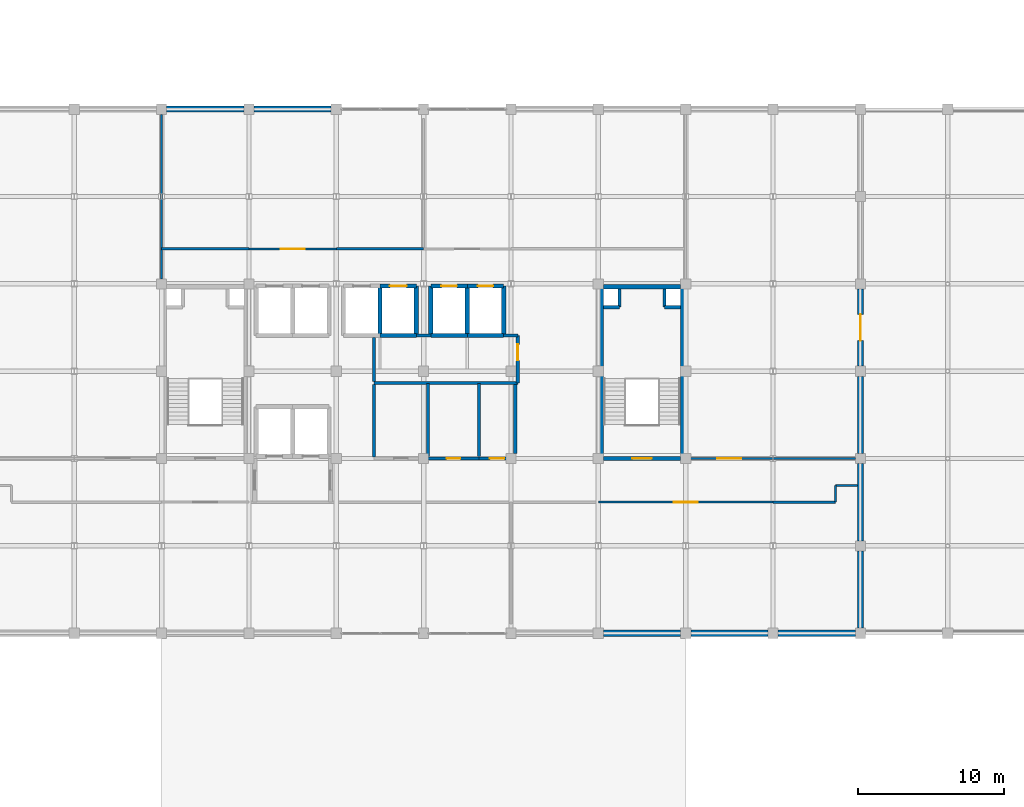
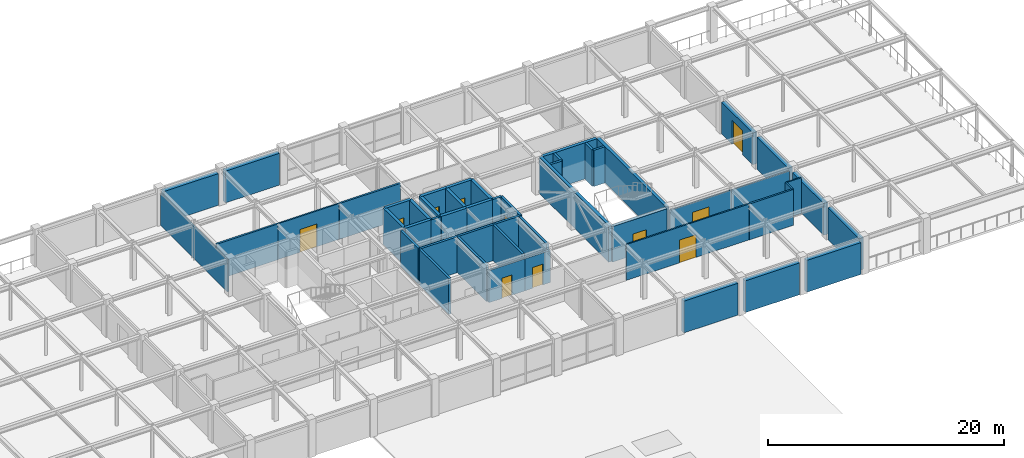
# One storey, part 21 of 25: 49 walls, 11 doors, 11 openings.
"""IFC4 building model written with IfcOpenShell, lengths in metres."""

from ifc_helpers import new_model, si_unit, direction, frame, frame_2d, origin, place, context, subcontext, project, spatial, rectangle, extrude, material, layer, layer_set, type_object, element, fill, save


model = new_model("IFC4")

# Units and contexts
model_context = context("Model", 3, precision=1e-05, world=origin(), true_north=direction((0.0, 1.0)))
body_context = subcontext(model_context, "Body", "Model", "MODEL_VIEW")
ifc_project = project(units=[si_unit("LENGTHUNIT", "METRE"), si_unit("AREAUNIT", "SQUARE_METRE"), si_unit("VOLUMEUNIT", "CUBIC_METRE"), si_unit("PLANEANGLEUNIT", "RADIAN"), si_unit("MASSUNIT", "GRAM", prefix="KILO")], contexts=[model_context])

# Site, building, storey
site_placement = place(None, origin())
site = spatial("IfcSite", under=ifc_project, at=site_placement, CompositionType="ELEMENT")
building_placement = place(site_placement, origin())
building = spatial("IfcBuilding", under=site, at=building_placement, Name="Zlatovratsky Civic Hall", CompositionType="ELEMENT")
storey_placement = place(building_placement, frame((0.0, 0.0, 21.0)))
storey = spatial("IfcBuildingStorey", under=building, at=storey_placement, Name="L05", CompositionType="ELEMENT", Elevation=21.0)

# Walls
ifc_material_1 = material(Name="Acoustic ceramic blockwork", Category="masonry")
ifc_layer_1 = layer(ifc_material_1, 0.179931640625)
ifc_layer_set_1 = layer_set([ifc_layer_1], Name="Acoustic ceramic blockwork")
wall_type_1 = type_object("IfcWallType", Name="Wall_AcousticChamberPartition_180", PredefinedType="PARTITIONING", material=ifc_layer_set_1)
wall_1_placement = place(storey_placement, frame((108.0, 81.0, 0.0), z_axis=(0.0, 0.0, 1.0), x_axis=(1.0, 0.0, 0.0)))
element("IfcWall", 1, at=wall_1_placement, inside=storey, type_object=wall_type_1, Name="WL-6281", PredefinedType="PARTITIONING", context=body_context, shape_type="SweptSolid", body=[
    extrude(rectangle(XDim=4.300048828125, YDim=0.179931640625, at=frame_2d((2.14990234375, 0.0))), origin(), (0.0, 0.0, 1.0), 3.699951171875),
])
for number, where, z_axis, x_axis, name in (
    (2, (66.0, 98.39990234375, 0.0), (0.0, 0.0, 1.0), (1.0, 0.0, 0.0), "WL-6286"),
    (3, (78.0, 98.39990234375, 0.0), (0.0, 0.0, 1.0), (1.0, 0.0, 0.0), "WL-6287"),
):
    element("IfcWall", number, at=place(storey_placement, frame(where, z_axis=z_axis, x_axis=x_axis)), inside=storey, type_object=wall_type_1, Name=name, PredefinedType="PARTITIONING", context=body_context, shape_type="SweptSolid", body=[
        extrude(rectangle(XDim=6.0, YDim=0.179931640625, at=frame_2d((3.0, 0.0))), origin(), (0.0, 0.0, 1.0), 3.699951171875),
    ])

# Wall, opening, door
ifc_material_2 = material(Name="Fire-rated gypsum board framing", Category="gypsum")
ifc_layer_2 = layer(ifc_material_2, 0.139892578125)
ifc_layer_set_2 = layer_set([ifc_layer_2], Name="Fire-rated gypsum board framing")
wall_type_2 = type_object("IfcWallType", Name="Wall_OfficePartition_140", PredefinedType="PARTITIONING", material=ifc_layer_set_2)
wall_2_placement = place(storey_placement, frame((96.0, 81.0, 0.0), z_axis=(0.0, 0.0, 1.0), x_axis=(1.0, 0.0, 0.0)))
wall_2 = element("IfcWall", 4, at=wall_2_placement, inside=storey, type_object=wall_type_2, Name="WL-6267", PredefinedType="PARTITIONING", context=body_context, shape_type="SweptSolid", body=[
    extrude(rectangle(XDim=12.0, YDim=0.139892578125, at=frame_2d((6.0, 0.0))), origin(), (0.0, 0.0, 1.0), 3.699951171875),
])
opening_1_placement = place(wall_2_placement, frame((5.175048828125, 0.0, 0.0)))
opening_1 = element("IfcOpeningElement", 5, at=opening_1_placement, cuts=wall_2, Name="Opening D-25", PredefinedType="OPENING", context=body_context, shape_type="SweptSolid", body=[
    extrude(rectangle(XDim=1.64990234375, YDim=2.35009765625, at=frame_2d((0.824951171875, 1.175048828125))), frame((0.0, 0.0849609375, 0.0), z_axis=(0.0, -1.0, 0.0), x_axis=(1.0, 0.0, 0.0)), (0.0, 0.0, 1.0), 0.169677734375),
])
ifc_material_3 = material(Name="Solid oak joinery in steel frame", Category="steel")
door_type_1 = type_object("IfcDoorType", Name="Door_OpenStudioDouble_1650x2350", OperationType="DOUBLE_DOOR_SINGLE_SWING", PredefinedType="DOOR", material=ifc_material_3)
door_1_placement = place(opening_1_placement, origin())
door_1 = element("IfcDoor", 6, at=door_1_placement, inside=storey, type_object=door_type_1, Name="DR-5348", OperationType="DOUBLE_DOOR_SINGLE_SWING", OverallHeight=2.35009765625, OverallWidth=1.64990234375, PredefinedType="DOOR", context=body_context, shape_type="SweptSolid", body=[
    extrude(rectangle(XDim=1.64990234375, YDim=2.35009765625, at=frame_2d((0.824951171875, 1.175048828125))), frame((0.0, 0.02490234375, 0.0), z_axis=(0.0, -1.0, 0.0), x_axis=(1.0, 0.0, 0.0)), (0.0, 0.0, 1.0), 0.050048828125),
])
fill(opening_1, door_1)

wall_3_placement = place(storey_placement, frame((102.0, 84.0, 0.0), z_axis=(0.0, 0.0, 1.0), x_axis=(1.0, 0.0, 0.0)))
wall_3 = element("IfcWall", 7, at=wall_3_placement, inside=storey, type_object=wall_type_2, Name="WL-6269", PredefinedType="PARTITIONING", context=body_context, shape_type="SweptSolid", body=[
    extrude(rectangle(XDim=6.0, YDim=0.139892578125, at=frame_2d((3.0, 0.0))), origin(), (0.0, 0.0, 1.0), 3.31201171875),
])
opening_2_placement = place(wall_3_placement, frame((2.175048828125, 0.0, 0.0)))
opening_2 = element("IfcOpeningElement", 8, at=opening_2_placement, cuts=wall_3, Name="Opening D-25", PredefinedType="OPENING", context=body_context, shape_type="SweptSolid", body=[
    extrude(rectangle(XDim=1.64990234375, YDim=2.35009765625, at=frame_2d((0.824951171875, 1.175048828125))), frame((0.0, 0.0849609375, 0.0), z_axis=(0.0, -1.0, 0.0), x_axis=(1.0, 0.0, 0.0)), (0.0, 0.0, 1.0), 0.169677734375),
])
door_2_placement = place(opening_2_placement, origin())
door_2 = element("IfcDoor", 9, at=door_2_placement, inside=storey, type_object=door_type_1, Name="DR-5350", OperationType="DOUBLE_DOOR_SINGLE_SWING", OverallHeight=2.35009765625, OverallWidth=1.64990234375, PredefinedType="DOOR", context=body_context, shape_type="SweptSolid", body=[
    extrude(rectangle(XDim=1.64990234375, YDim=2.35009765625, at=frame_2d((0.824951171875, 1.175048828125))), frame((0.0, 0.02490234375, 0.0), z_axis=(0.0, -1.0, 0.0), x_axis=(1.0, 0.0, 0.0)), (0.0, 0.0, 1.0), 0.050048828125),
])
fill(opening_2, door_2)

wall_4_placement = place(storey_placement, frame((72.0, 98.39990234375, 0.0), z_axis=(0.0, 0.0, 1.0), x_axis=(1.0, 0.0, 0.0)))
wall_4 = element("IfcWall", 10, at=wall_4_placement, inside=storey, type_object=wall_type_2, Name="WL-6270", PredefinedType="PARTITIONING", context=body_context, shape_type="SweptSolid", body=[
    extrude(rectangle(XDim=6.0, YDim=0.139892578125, at=frame_2d((3.0, 0.0))), origin(), (0.0, 0.0, 1.0), 3.699951171875),
])
opening_3_placement = place(wall_4_placement, frame((2.175048828125, 0.0, 0.0)))
opening_3 = element("IfcOpeningElement", 11, at=opening_3_placement, cuts=wall_4, Name="Opening D-25", PredefinedType="OPENING", context=body_context, shape_type="SweptSolid", body=[
    extrude(rectangle(XDim=1.64990234375, YDim=2.35009765625, at=frame_2d((0.824951171875, 1.175048828125))), frame((0.0, 0.0849609375, 0.0), z_axis=(0.0, -1.0, 0.0), x_axis=(1.0, 0.0, 0.0)), (0.0, 0.0, 1.0), 0.169677734375),
])
door_3_placement = place(opening_3_placement, origin())
door_3 = element("IfcDoor", 12, at=door_3_placement, inside=storey, type_object=door_type_1, Name="DR-5351", OperationType="DOUBLE_DOOR_SINGLE_SWING", OverallHeight=2.35009765625, OverallWidth=1.64990234375, PredefinedType="DOOR", context=body_context, shape_type="SweptSolid", body=[
    extrude(rectangle(XDim=1.64990234375, YDim=2.35009765625, at=frame_2d((0.824951171875, 1.175048828125))), frame((0.0, 0.02490234375, 0.0), z_axis=(0.0, -1.0, 0.0), x_axis=(1.0, 0.0, 0.0)), (0.0, 0.0, 1.0), 0.050048828125),
])
fill(opening_3, door_3)

# Walls
wall_5_placement = place(storey_placement, frame((112.300048828125, 81.0, 0.0), z_axis=(0.0, 0.0, 1.0), x_axis=(0.0, 1.0, 0.0)))
element("IfcWall", 13, at=wall_5_placement, inside=storey, type_object=wall_type_2, Name="WL-6284", PredefinedType="PARTITIONING", context=body_context, shape_type="SweptSolid", body=[
    extrude(rectangle(XDim=1.14990234375, YDim=0.139892578125, at=frame_2d((0.574951171875, 0.0))), origin(), (0.0, 0.0, 1.0), 3.699951171875),
])
wall_6_placement = place(storey_placement, frame((112.300048828125, 82.14990234375, 0.0), z_axis=(0.0, 0.0, 1.0), x_axis=(1.0, 0.0, 0.0)))
element("IfcWall", 14, at=wall_6_placement, inside=storey, type_object=wall_type_2, Name="WL-6285", PredefinedType="PARTITIONING", context=body_context, shape_type="SweptSolid", body=[
    extrude(rectangle(XDim=1.489990234375, YDim=0.139892578125, at=frame_2d((0.7451171875, 0.0))), origin(), (0.0, 0.0, 1.0), 3.699951171875),
])
wall_7_placement = place(storey_placement, frame((66.0, 96.35009765625, 0.0), z_axis=(0.0, 0.0, 1.0), x_axis=(0.0, 1.0, 0.0)))
element("IfcWall", 15, at=wall_7_placement, inside=storey, type_object=wall_type_2, Name="WL-6289", PredefinedType="PARTITIONING", context=body_context, shape_type="SweptSolid", body=[
    extrude(rectangle(XDim=11.2998046875, YDim=0.139892578125, at=frame_2d((5.64990234375, 0.0))), origin(), (0.0, 0.0, 1.0), 3.31201171875),
])
wall_8_placement = place(storey_placement, frame((108.0, 84.0, 0.0), z_axis=(0.0, 0.0, 1.0), x_axis=(1.0, 0.0, 0.0)))
element("IfcWall", 16, at=wall_8_placement, inside=storey, type_object=wall_type_2, Name="WL-6292", PredefinedType="PARTITIONING", context=body_context, shape_type="SweptSolid", body=[
    extrude(rectangle(XDim=5.64990234375, YDim=0.139892578125, at=frame_2d((2.824951171875, 0.0))), origin(), (0.0, 0.0, 1.0), 3.31201171875),
])
ifc_layer_3 = layer(ifc_material_1, 0.219970703125)
ifc_layer_set_3 = layer_set([ifc_layer_3], Name="Acoustic ceramic blockwork")
wall_type_3 = type_object("IfcWallType", Name="Wall_SanitaryWetCore_220", PredefinedType="PARTITIONING", material=ifc_layer_set_3)
wall_9_placement = place(storey_placement, frame((97.449951171875, 94.39990234375, 0.0), z_axis=(0.0, 0.0, 1.0), x_axis=(0.0, 1.0, 0.0)))
element("IfcWall", 17, at=wall_9_placement, inside=storey, type_object=wall_type_3, Name="WL-5203", PredefinedType="PARTITIONING", context=body_context, shape_type="SweptSolid", body=[
    extrude(rectangle(XDim=1.25, YDim=0.219970703125, at=frame_2d((0.625, 0.0))), origin(), (0.0, 0.0, 1.0), 3.739990234375),
])
wall_10_placement = place(storey_placement, frame((96.35009765625, 94.39990234375, 0.0), z_axis=(0.0, 0.0, 1.0), x_axis=(1.0, 0.0, 0.0)))
element("IfcWall", 18, at=wall_10_placement, inside=storey, type_object=wall_type_3, Name="WL-5204", PredefinedType="PARTITIONING", context=body_context, shape_type="SweptSolid", body=[
    extrude(rectangle(XDim=1.099853515625, YDim=0.219970703125, at=frame_2d((0.5498046875, 0.0))), origin(), (0.0, 0.0, 1.0), 3.739990234375),
])
wall_11_placement = place(storey_placement, frame((100.550048828125, 94.39990234375, 0.0), z_axis=(0.0, 0.0, 1.0), x_axis=(0.0, 1.0, 0.0)))
element("IfcWall", 19, at=wall_11_placement, inside=storey, type_object=wall_type_3, Name="WL-5205", PredefinedType="PARTITIONING", context=body_context, shape_type="SweptSolid", body=[
    extrude(rectangle(XDim=1.25, YDim=0.219970703125, at=frame_2d((0.625, 0.0))), origin(), (0.0, 0.0, 1.0), 3.739990234375),
])
wall_12_placement = place(storey_placement, frame((100.550048828125, 94.39990234375, 0.0), z_axis=(0.0, 0.0, 1.0), x_axis=(1.0, 0.0, 0.0)))
element("IfcWall", 20, at=wall_12_placement, inside=storey, type_object=wall_type_3, Name="WL-5206", PredefinedType="PARTITIONING", context=body_context, shape_type="SweptSolid", body=[
    extrude(rectangle(XDim=1.099853515625, YDim=0.219970703125, at=frame_2d((0.5498046875, 0.0))), origin(), (0.0, 0.0, 1.0), 3.739990234375),
])

# Wall, opening, door
wall_13_placement = place(storey_placement, frame((84.300048828125, 84.0, 0.0), z_axis=(0.0, 0.0, 1.0), x_axis=(1.0, 0.0, 0.0)))
wall_13 = element("IfcWall", 21, at=wall_13_placement, inside=storey, type_object=wall_type_3, Name="WL-6260", PredefinedType="PARTITIONING", context=body_context, shape_type="SweptSolid", body=[
    extrude(rectangle(XDim=3.5, YDim=0.219970703125, at=frame_2d((1.75, 0.0))), origin(), (0.0, 0.0, 1.0), 3.31201171875),
])
opening_4_placement = place(wall_13_placement, frame((1.27490234375, 0.0, 0.0)))
opening_4 = element("IfcOpeningElement", 22, at=opening_4_placement, cuts=wall_13, Name="Opening D-22", PredefinedType="OPENING", context=body_context, shape_type="SweptSolid", body=[
    extrude(rectangle(XDim=0.949951171875, YDim=2.10009765625, at=frame_2d((0.47509765625, 1.050048828125))), frame((0.0, 0.125, 0.0), z_axis=(0.0, -1.0, 0.0), x_axis=(1.0, 0.0, 0.0)), (0.0, 0.0, 1.0), 0.249755859375),
])
door_type_2 = type_object("IfcDoorType", Name="Door_WomensWC_950x2100", OperationType="NOTDEFINED", PredefinedType="DOOR", material=ifc_material_3)
door_4_placement = place(opening_4_placement, origin())
door_4 = element("IfcDoor", 23, at=door_4_placement, inside=storey, type_object=door_type_2, Name="DR-5344", OperationType="SINGLE_SWING_RIGHT", OverallHeight=2.10009765625, OverallWidth=0.949951171875, PredefinedType="DOOR", context=body_context, shape_type="SweptSolid", body=[
    extrude(rectangle(XDim=0.949951171875, YDim=2.10009765625, at=frame_2d((0.47509765625, 1.050048828125))), frame((0.0, 0.02490234375, 0.0), z_axis=(0.0, -1.0, 0.0), x_axis=(1.0, 0.0, 0.0)), (0.0, 0.0, 1.0), 0.050048828125),
])
fill(opening_4, door_4)

wall_14_placement = place(storey_placement, frame((87.800048828125, 84.0, 0.0), z_axis=(0.0, 0.0, 1.0), x_axis=(1.0, 0.0, 0.0)))
wall_14 = element("IfcWall", 24, at=wall_14_placement, inside=storey, type_object=wall_type_3, Name="WL-6261", PredefinedType="PARTITIONING", context=body_context, shape_type="SweptSolid", body=[
    extrude(rectangle(XDim=2.5, YDim=0.219970703125, at=frame_2d((1.25, 0.0))), origin(), (0.0, 0.0, 1.0), 3.31201171875),
])
opening_5_placement = place(wall_14_placement, frame((0.75, 0.0, 0.0)))
opening_5 = element("IfcOpeningElement", 25, at=opening_5_placement, cuts=wall_14, Name="Opening D-20", PredefinedType="OPENING", context=body_context, shape_type="SweptSolid", body=[
    extrude(rectangle(XDim=1.0, YDim=2.14990234375, at=frame_2d((0.5, 1.074951171875))), frame((0.0, 0.125, 0.0), z_axis=(0.0, -1.0, 0.0), x_axis=(1.0, 0.0, 0.0)), (0.0, 0.0, 1.0), 0.249755859375),
])
door_type_3 = type_object("IfcDoorType", Name="Door_AccessibleWC_1000x2150", OperationType="NOTDEFINED", PredefinedType="DOOR", material=ifc_material_3)
door_5_placement = place(opening_5_placement, origin())
door_5 = element("IfcDoor", 26, at=door_5_placement, inside=storey, type_object=door_type_3, Name="DR-5345", OperationType="SINGLE_SWING_LEFT", OverallHeight=2.14990234375, OverallWidth=1.0, PredefinedType="DOOR", context=body_context, shape_type="SweptSolid", body=[
    extrude(rectangle(XDim=1.0, YDim=2.14990234375, at=frame_2d((0.5, 1.074951171875))), frame((0.0, 0.02490234375, 0.0), z_axis=(0.0, -1.0, 0.0), x_axis=(1.0, 0.0, 0.0)), (0.0, 0.0, 1.0), 0.050048828125),
])
fill(opening_5, door_5)

# Walls
for number, where, z_axis, x_axis, name in (
    (27, (84.300048828125, 84.14990234375, 0.0), (0.0, 0.0, 1.0), (0.0, 1.0, 0.0), "WL-6262"),
    (28, (87.800048828125, 84.14990234375, 0.0), (0.0, 0.0, 1.0), (0.0, 1.0, 0.0), "WL-6263"),
):
    element("IfcWall", number, at=place(storey_placement, frame(where, z_axis=z_axis, x_axis=x_axis)), inside=storey, type_object=wall_type_3, Name=name, PredefinedType="PARTITIONING", context=body_context, shape_type="SweptSolid", body=[
        extrude(rectangle(XDim=5.0, YDim=0.219970703125, at=frame_2d((2.5, 0.0))), origin(), (0.0, 0.0, 1.0), 3.699951171875),
    ])
wall_15_placement = place(storey_placement, frame((80.60009765625, 89.199951171875, 0.0), z_axis=(0.0, 0.0, 1.0), x_axis=(1.0, 0.0, 0.0)))
element("IfcWall", 29, at=wall_15_placement, inside=storey, type_object=wall_type_3, Name="WL-6264", PredefinedType="PARTITIONING", context=body_context, shape_type="SweptSolid", body=[
    extrude(rectangle(XDim=9.869873046875, YDim=0.219970703125, at=frame_2d((4.93505859375, 0.0))), origin(), (0.0, 0.0, 1.0), 3.699951171875),
])

# Wall, opening, door
wall_16_placement = place(storey_placement, frame((90.469970703125, 89.199951171875, 0.0), z_axis=(0.0, 0.0, 1.0), x_axis=(0.0, 1.0, 0.0)))
wall_16 = element("IfcWall", 30, at=wall_16_placement, inside=storey, type_object=wall_type_3, Name="WL-6265", PredefinedType="PARTITIONING", context=body_context, shape_type="SweptSolid", body=[
    extrude(rectangle(XDim=3.25, YDim=0.219970703125, at=frame_2d((1.625, 0.0))), origin(), (0.0, 0.0, 1.0), 3.699951171875),
])
opening_6_placement = place(wall_16_placement, frame((1.550048828125, 0.0, 0.0)))
opening_6 = element("IfcOpeningElement", 31, at=opening_6_placement, cuts=wall_16, Name="Opening D-30", PredefinedType="OPENING", context=body_context, shape_type="SweptSolid", body=[
    extrude(rectangle(XDim=1.10009765625, YDim=2.14990234375, at=frame_2d((0.550048828125, 1.074951171875))), frame((0.0, 0.125, 0.0), z_axis=(0.0, -1.0, 0.0), x_axis=(1.0, 0.0, 0.0)), (0.0, 0.0, 1.0), 0.249755859375),
])
ifc_material_4 = material(Name="Insulated painted fire-rated steel leaf", Category="steel")
door_type_4 = type_object("IfcDoorType", Name="Door_ElectricalRoom_1100x2150", OperationType="NOTDEFINED", PredefinedType="DOOR", material=ifc_material_4)
door_6_placement = place(opening_6_placement, origin())
door_6 = element("IfcDoor", 32, at=door_6_placement, inside=storey, type_object=door_type_4, Name="DR-5346", OperationType="SINGLE_SWING_RIGHT", OverallHeight=2.14990234375, OverallWidth=1.10009765625, PredefinedType="DOOR", context=body_context, shape_type="SweptSolid", body=[
    extrude(rectangle(XDim=1.10009765625, YDim=2.14990234375, at=frame_2d((0.550048828125, 1.074951171875))), frame((0.0, 0.02490234375, 0.0), z_axis=(0.0, -1.0, 0.0), x_axis=(1.0, 0.0, 0.0)), (0.0, 0.0, 1.0), 0.050048828125),
])
fill(opening_6, door_6)

# Walls
wall_17_placement = place(storey_placement, frame((80.60009765625, 84.110107421875, 0.0), z_axis=(0.0, 0.0, 1.0), x_axis=(0.0, 1.0, 0.0)))
element("IfcWall", 33, at=wall_17_placement, inside=storey, type_object=wall_type_3, Name="WL-6274", PredefinedType="PARTITIONING", context=body_context, shape_type="SweptSolid", body=[
    extrude(rectangle(XDim=4.97998046875, YDim=0.219970703125, at=frame_2d((2.489990234375, 0.0))), origin(), (0.0, 0.0, 1.0), 3.699951171875),
])
wall_18_placement = place(storey_placement, frame((90.300048828125, 84.360107421875, 0.0), z_axis=(0.0, 0.0, 1.0), x_axis=(0.0, 1.0, 0.0)))
element("IfcWall", 34, at=wall_18_placement, inside=storey, type_object=wall_type_3, Name="WL-6275", PredefinedType="PARTITIONING", context=body_context, shape_type="SweptSolid", body=[
    extrude(rectangle(XDim=4.72998046875, YDim=0.219970703125, at=frame_2d((2.364990234375, 0.0))), origin(), (0.0, 0.0, 1.0), 3.699951171875),
])
wall_19_placement = place(storey_placement, frame((80.60009765625, 89.31005859375, 0.0), z_axis=(0.0, 0.0, 1.0), x_axis=(0.0, 1.0, 0.0)))
element("IfcWall", 35, at=wall_19_placement, inside=storey, type_object=wall_type_3, Name="WL-6276", PredefinedType="PARTITIONING", context=body_context, shape_type="SweptSolid", body=[
    extrude(rectangle(XDim=2.989990234375, YDim=0.219970703125, at=frame_2d((1.4951171875, 0.0))), origin(), (0.0, 0.0, 1.0), 3.699951171875),
])
wall_20_placement = place(storey_placement, frame((83.5, 92.449951171875, 0.0), z_axis=(0.0, 0.0, 1.0), x_axis=(1.0, 0.0, 0.0)))
element("IfcWall", 36, at=wall_20_placement, inside=storey, type_object=wall_type_3, Name="WL-6277", PredefinedType="PARTITIONING", context=body_context, shape_type="SweptSolid", body=[
    extrude(rectangle(XDim=1.0, YDim=0.219970703125, at=frame_2d((0.5, 0.0))), origin(), (0.0, 0.0, 1.0), 3.699951171875),
])
wall_21_placement = place(storey_placement, frame((89.5, 92.449951171875, 0.0), z_axis=(0.0, 0.0, 1.0), x_axis=(1.0, 0.0, 0.0)))
element("IfcWall", 37, at=wall_21_placement, inside=storey, type_object=wall_type_3, Name="WL-6278", PredefinedType="PARTITIONING", context=body_context, shape_type="SweptSolid", body=[
    extrude(rectangle(XDim=0.969970703125, YDim=0.219970703125, at=frame_2d((0.48486328125, 0.0))), origin(), (0.0, 0.0, 1.0), 3.699951171875),
])

# Wall, opening, door
ifc_material_5 = material(Name="Concrete C35/45 (B40)", Category="concrete")
ifc_layer_4 = layer(ifc_material_5, 0.300048828125)
ifc_layer_set_4 = layer_set([ifc_layer_4], Name="Concrete C35/45 (B40)")
wall_type_4 = type_object("IfcWallType", Name="Wall_StairAndLiftShaft_300", PredefinedType="SHEAR", material=ifc_layer_set_4)
wall_22_placement = place(storey_placement, frame((96.35009765625, 84.0, 0.0), z_axis=(0.0, 0.0, 1.0), x_axis=(1.0, 0.0, 0.0)))
wall_22 = element("IfcWall", 38, at=wall_22_placement, inside=storey, type_object=wall_type_4, Name="WL-5199", PredefinedType="SHEAR", context=body_context, shape_type="SweptSolid", body=[
    extrude(rectangle(XDim=5.2998046875, YDim=0.300048828125, at=frame_2d((2.64990234375, 0.0))), origin(), (0.0, 0.0, 1.0), 3.659912109375),
])
opening_7_placement = place(wall_22_placement, frame((1.97509765625, 0.0, 0.0)))
opening_7 = element("IfcOpeningElement", 39, at=opening_7_placement, cuts=wall_22, Name="Opening D-17", PredefinedType="OPENING", context=body_context, shape_type="SweptSolid", body=[
    extrude(rectangle(XDim=1.35009765625, YDim=2.199951171875, at=frame_2d((0.675048828125, 1.10009765625))), frame((0.0, 0.1650390625, 0.0), z_axis=(0.0, -1.0, 0.0), x_axis=(1.0, 0.0, 0.0)), (0.0, 0.0, 1.0), 0.329833984375),
])
door_type_5 = type_object("IfcDoorType", Name="Door_StairwellFireTower_1350x2200", OperationType="NOTDEFINED", PredefinedType="DOOR", material=ifc_material_4)
door_7_placement = place(opening_7_placement, origin())
door_7 = element("IfcDoor", 40, at=door_7_placement, inside=storey, type_object=door_type_5, Name="DR-5025", OperationType="SINGLE_SWING_LEFT", OverallHeight=2.199951171875, OverallWidth=1.35009765625, PredefinedType="DOOR", context=body_context, shape_type="SweptSolid", body=[
    extrude(rectangle(XDim=1.35009765625, YDim=2.199951171875, at=frame_2d((0.675048828125, 1.10009765625))), frame((0.0, 0.02490234375, 0.0), z_axis=(0.0, -1.0, 0.0), x_axis=(1.0, 0.0, 0.0)), (0.0, 0.0, 1.0), 0.050048828125),
])
fill(opening_7, door_7)

# Walls
wall_23_placement = place(storey_placement, frame((96.35009765625, 95.800048828125, 0.0), z_axis=(0.0, 0.0, 1.0), x_axis=(1.0, 0.0, 0.0)))
element("IfcWall", 41, at=wall_23_placement, inside=storey, type_object=wall_type_4, Name="WL-5200", PredefinedType="SHEAR", context=body_context, shape_type="SweptSolid", body=[
    extrude(rectangle(XDim=5.2998046875, YDim=0.300048828125, at=frame_2d((2.64990234375, 0.0))), origin(), (0.0, 0.0, 1.0), 3.739990234375),
])
for number, where, z_axis, x_axis, name in (
    (42, (96.199951171875, 84.0, 0.0), (0.0, 0.0, 1.0), (0.0, 1.0, 0.0), "WL-5201"),
    (43, (101.800048828125, 84.0, 0.0), (0.0, 0.0, 1.0), (0.0, 1.0, 0.0), "WL-5202"),
):
    element("IfcWall", number, at=place(storey_placement, frame(where, z_axis=z_axis, x_axis=x_axis)), inside=storey, type_object=wall_type_4, Name=name, PredefinedType="SHEAR", context=body_context, shape_type="SweptSolid", body=[
        extrude(rectangle(XDim=11.800048828125, YDim=0.300048828125, at=frame_2d((5.89990234375, 0.0))), origin(), (0.0, 0.0, 1.0), 3.739990234375),
    ])

# Wall, opening, door
wall_24_placement = place(storey_placement, frame((81.0, 95.85009765625, 0.0), z_axis=(0.0, 0.0, 1.0), x_axis=(1.0, 0.0, 0.0)))
wall_24 = element("IfcWall", 44, at=wall_24_placement, inside=storey, type_object=wall_type_4, Name="WL-5836", PredefinedType="SHEAR", context=body_context, shape_type="SweptSolid", body=[
    extrude(rectangle(XDim=2.5, YDim=0.300048828125, at=frame_2d((1.25, 0.0))), origin(), (0.0, 0.0, 1.0), 3.739990234375),
])
opening_8_placement = place(wall_24_placement, frame((0.675048828125, 0.0, 0.0)))
opening_8 = element("IfcOpeningElement", 45, at=opening_8_placement, cuts=wall_24, Name="Opening LD-02", PredefinedType="OPENING", context=body_context, shape_type="SweptSolid", body=[
    extrude(rectangle(XDim=1.14990234375, YDim=2.14990234375, at=frame_2d((0.574951171875, 1.074951171875))), frame((0.0, 0.1650390625, 0.0), z_axis=(0.0, -1.0, 0.0), x_axis=(1.0, 0.0, 0.0)), (0.0, 0.0, 1.0), 0.329833984375),
])
ifc_material_6 = material(Name="Brushed stainless steel AISI 304", Category="steel")
door_type_6 = type_object("IfcDoorType", Name="Door_LiftLandingHighRise_1150x2150", OperationType="DOUBLE_DOOR_SLIDING", PredefinedType="DOOR", material=ifc_material_6)
door_8_placement = place(opening_8_placement, origin())
door_8 = element("IfcDoor", 46, at=door_8_placement, inside=storey, type_object=door_type_6, Name="Lift landing door LD-5159", OperationType="DOUBLE_DOOR_SLIDING", OverallHeight=2.14990234375, OverallWidth=1.14990234375, PredefinedType="DOOR", context=body_context, shape_type="SweptSolid", body=[
    extrude(rectangle(XDim=1.14990234375, YDim=2.14990234375, at=frame_2d((0.574951171875, 1.074951171875))), frame((0.0, 0.02490234375, 0.0), z_axis=(0.0, -1.0, 0.0), x_axis=(1.0, 0.0, 0.0)), (0.0, 0.0, 1.0), 0.050048828125),
])
fill(opening_8, door_8)

# Walls
wall_25_placement = place(storey_placement, frame((81.0, 92.449951171875, 0.0), z_axis=(0.0, 0.0, 1.0), x_axis=(1.0, 0.0, 0.0)))
element("IfcWall", 47, at=wall_25_placement, inside=storey, type_object=wall_type_4, Name="WL-5837", PredefinedType="SHEAR", context=body_context, shape_type="SweptSolid", body=[
    extrude(rectangle(XDim=2.5, YDim=0.300048828125, at=frame_2d((1.25, 0.0))), origin(), (0.0, 0.0, 1.0), 3.739990234375),
])
for number, where, z_axis, x_axis, name in (
    (48, (81.0, 92.449951171875, 0.0), (0.0, 0.0, 1.0), (0.0, 1.0, 0.0), "WL-5838"),
    (49, (83.5, 92.449951171875, 0.0), (0.0, 0.0, 1.0), (0.0, 1.0, 0.0), "WL-5839"),
):
    element("IfcWall", number, at=place(storey_placement, frame(where, z_axis=z_axis, x_axis=x_axis)), inside=storey, type_object=wall_type_4, Name=name, PredefinedType="SHEAR", context=body_context, shape_type="SweptSolid", body=[
        extrude(rectangle(XDim=3.400146484375, YDim=0.300048828125, at=frame_2d((1.7001953125, 0.0))), origin(), (0.0, 0.0, 1.0), 3.739990234375),
    ])

# Wall, opening, door
wall_26_placement = place(storey_placement, frame((84.5, 95.85009765625, 0.0), z_axis=(0.0, 0.0, 1.0), x_axis=(1.0, 0.0, 0.0)))
wall_26 = element("IfcWall", 50, at=wall_26_placement, inside=storey, type_object=wall_type_4, Name="WL-5907", PredefinedType="SHEAR", context=body_context, shape_type="SweptSolid", body=[
    extrude(rectangle(XDim=2.5, YDim=0.300048828125, at=frame_2d((1.25, 0.0))), origin(), (0.0, 0.0, 1.0), 3.739990234375),
])
opening_9_placement = place(wall_26_placement, frame((0.72509765625, 0.0, 0.0)))
opening_9 = element("IfcOpeningElement", 51, at=opening_9_placement, cuts=wall_26, Name="Opening LD-03", PredefinedType="OPENING", context=body_context, shape_type="SweptSolid", body=[
    extrude(rectangle(XDim=1.050048828125, YDim=2.10009765625, at=frame_2d((0.52490234375, 1.050048828125))), frame((0.0, 0.1650390625, 0.0), z_axis=(0.0, -1.0, 0.0), x_axis=(1.0, 0.0, 0.0)), (0.0, 0.0, 1.0), 0.329833984375),
])
door_type_7 = type_object("IfcDoorType", Name="Door_LiftLandingMidRise_1050x2100", OperationType="DOUBLE_DOOR_SLIDING", PredefinedType="DOOR", material=ifc_material_6)
door_9_placement = place(opening_9_placement, origin())
door_9 = element("IfcDoor", 52, at=door_9_placement, inside=storey, type_object=door_type_7, Name="Lift landing door LD-5178", OperationType="DOUBLE_DOOR_SLIDING", OverallHeight=2.10009765625, OverallWidth=1.050048828125, PredefinedType="DOOR", context=body_context, shape_type="SweptSolid", body=[
    extrude(rectangle(XDim=1.050048828125, YDim=2.10009765625, at=frame_2d((0.52490234375, 1.050048828125))), frame((0.0, 0.02490234375, 0.0), z_axis=(0.0, -1.0, 0.0), x_axis=(1.0, 0.0, 0.0)), (0.0, 0.0, 1.0), 0.050048828125),
])
fill(opening_9, door_9)

# Walls
wall_27_placement = place(storey_placement, frame((84.5, 92.449951171875, 0.0), z_axis=(0.0, 0.0, 1.0), x_axis=(1.0, 0.0, 0.0)))
element("IfcWall", 53, at=wall_27_placement, inside=storey, type_object=wall_type_4, Name="WL-5908", PredefinedType="SHEAR", context=body_context, shape_type="SweptSolid", body=[
    extrude(rectangle(XDim=2.5, YDim=0.300048828125, at=frame_2d((1.25, 0.0))), origin(), (0.0, 0.0, 1.0), 3.739990234375),
])
wall_28_placement = place(storey_placement, frame((84.5, 92.449951171875, 0.0), z_axis=(0.0, 0.0, 1.0), x_axis=(0.0, 1.0, 0.0)))
element("IfcWall", 54, at=wall_28_placement, inside=storey, type_object=wall_type_4, Name="WL-5909", PredefinedType="SHEAR", context=body_context, shape_type="SweptSolid", body=[
    extrude(rectangle(XDim=3.400146484375, YDim=0.300048828125, at=frame_2d((1.7001953125, 0.0))), origin(), (0.0, 0.0, 1.0), 3.739990234375),
])

# Wall, opening, door
wall_29_placement = place(storey_placement, frame((87.0, 95.85009765625, 0.0), z_axis=(0.0, 0.0, 1.0), x_axis=(1.0, 0.0, 0.0)))
wall_29 = element("IfcWall", 55, at=wall_29_placement, inside=storey, type_object=wall_type_4, Name="WL-5945", PredefinedType="SHEAR", context=body_context, shape_type="SweptSolid", body=[
    extrude(rectangle(XDim=2.5, YDim=0.300048828125, at=frame_2d((1.25, 0.0))), origin(), (0.0, 0.0, 1.0), 3.739990234375),
])
opening_10_placement = place(wall_29_placement, frame((0.72509765625, 0.0, 0.0)))
opening_10 = element("IfcOpeningElement", 56, at=opening_10_placement, cuts=wall_29, Name="Opening LD-03", PredefinedType="OPENING", context=body_context, shape_type="SweptSolid", body=[
    extrude(rectangle(XDim=1.050048828125, YDim=2.10009765625, at=frame_2d((0.52490234375, 1.050048828125))), frame((0.0, 0.1650390625, 0.0), z_axis=(0.0, -1.0, 0.0), x_axis=(1.0, 0.0, 0.0)), (0.0, 0.0, 1.0), 0.329833984375),
])
door_10_placement = place(opening_10_placement, origin())
door_10 = element("IfcDoor", 57, at=door_10_placement, inside=storey, type_object=door_type_7, Name="Lift landing door LD-5189", OperationType="DOUBLE_DOOR_SLIDING", OverallHeight=2.10009765625, OverallWidth=1.050048828125, PredefinedType="DOOR", context=body_context, shape_type="SweptSolid", body=[
    extrude(rectangle(XDim=1.050048828125, YDim=2.10009765625, at=frame_2d((0.52490234375, 1.050048828125))), frame((0.0, 0.02490234375, 0.0), z_axis=(0.0, -1.0, 0.0), x_axis=(1.0, 0.0, 0.0)), (0.0, 0.0, 1.0), 0.050048828125),
])
fill(opening_10, door_10)

# Walls
wall_30_placement = place(storey_placement, frame((87.0, 92.449951171875, 0.0), z_axis=(0.0, 0.0, 1.0), x_axis=(1.0, 0.0, 0.0)))
element("IfcWall", 58, at=wall_30_placement, inside=storey, type_object=wall_type_4, Name="WL-5946", PredefinedType="SHEAR", context=body_context, shape_type="SweptSolid", body=[
    extrude(rectangle(XDim=2.5, YDim=0.300048828125, at=frame_2d((1.25, 0.0))), origin(), (0.0, 0.0, 1.0), 3.739990234375),
])
for number, where, z_axis, x_axis, name in (
    (59, (87.0, 92.449951171875, 0.0), (0.0, 0.0, 1.0), (0.0, 1.0, 0.0), "WL-5947"),
    (60, (89.5, 92.449951171875, 0.0), (0.0, 0.0, 1.0), (0.0, 1.0, 0.0), "WL-5948"),
):
    element("IfcWall", number, at=place(storey_placement, frame(where, z_axis=z_axis, x_axis=x_axis)), inside=storey, type_object=wall_type_4, Name=name, PredefinedType="SHEAR", context=body_context, shape_type="SweptSolid", body=[
        extrude(rectangle(XDim=3.400146484375, YDim=0.300048828125, at=frame_2d((1.7001953125, 0.0))), origin(), (0.0, 0.0, 1.0), 3.739990234375),
    ])
ifc_layer_5 = layer(ifc_material_1, 0.280029296875, Name="Backing")
ifc_material_7 = material(Name="Podolsk limestone ashlar", Category="masonry")
ifc_layer_6 = layer(ifc_material_7, 0.139892578125, Name="Finish")
ifc_layer_set_5 = layer_set([ifc_layer_5, ifc_layer_6], Name="Acoustic ceramic blockwork")
wall_type_5 = type_object("IfcWallType", Name="Wall_TowerLimestoneAshlar_420", PredefinedType="SOLIDWALL", material=ifc_layer_set_5)
for number, where, z_axis, x_axis, name in (
    (61, (96.35009765625, 72.0, 0.0), (0.0, 0.0, 1.0), (1.0, 0.0, 0.0), "WL-0394"),
    (62, (102.35009765625, 72.0, 0.0), (0.0, 0.0, 1.0), (1.0, 0.0, 0.0), "WL-0395"),
    (63, (108.35009765625, 72.0, 0.0), (0.0, 0.0, 1.0), (1.0, 0.0, 0.0), "WL-0396"),
    (64, (66.35009765625, 108.0, 0.0), (0.0, 0.0, 1.0), (1.0, 0.0, 0.0), "WL-0399"),
    (65, (72.35009765625, 108.0, 0.0), (0.0, 0.0, 1.0), (1.0, 0.0, 0.0), "WL-0400"),
    (66, (114.0, 72.35009765625, 0.0), (0.0, 0.0, 1.0), (0.0, 1.0, 0.0), "WL-0411"),
    (67, (114.0, 78.35009765625, 0.0), (0.0, 0.0, 1.0), (0.0, 1.0, 0.0), "WL-0412"),
    (68, (114.0, 84.35009765625, 0.0), (0.0, 0.0, 1.0), (0.0, 1.0, 0.0), "WL-0413"),
):
    element("IfcWall", number, at=place(storey_placement, frame(where, z_axis=z_axis, x_axis=x_axis)), inside=storey, type_object=wall_type_5, Name=name, PredefinedType="SOLIDWALL", context=body_context, shape_type="SweptSolid", body=[
        extrude(rectangle(XDim=5.2998046875, YDim=0.419921875, at=frame_2d((2.64990234375, 0.0))), origin(), (0.0, 0.0, 1.0), 3.280029296875),
    ])

# Wall, opening, door
wall_31_placement = place(storey_placement, frame((114.0, 90.35009765625, 0.0), z_axis=(0.0, 0.0, 1.0), x_axis=(0.0, 1.0, 0.0)))
wall_31 = element("IfcWall", 69, at=wall_31_placement, inside=storey, type_object=wall_type_5, Name="WL-0414", PredefinedType="SOLIDWALL", context=body_context, shape_type="SweptSolid", body=[
    extrude(rectangle(XDim=5.2998046875, YDim=0.419921875, at=frame_2d((2.64990234375, 0.0))), origin(), (0.0, 0.0, 1.0), 3.280029296875),
])
opening_11_placement = place(wall_31_placement, frame((1.75, 0.0, 0.0)))
opening_11 = element("IfcOpeningElement", 70, at=opening_11_placement, cuts=wall_31, Name="Opening D-07", PredefinedType="OPENING", context=body_context, shape_type="SweptSolid", body=[
    extrude(rectangle(XDim=1.800048828125, YDim=2.5, at=frame_2d((0.89990234375, 1.25))), frame((0.0, 0.224853515625, 0.0), z_axis=(0.0, -1.0, 0.0), x_axis=(1.0, 0.0, 0.0)), (0.0, 0.0, 1.0), 0.44970703125),
])
ifc_material_8 = material(Name="Monumental cast bronze glazed portal", Category="aluminium")
door_type_8 = type_object("IfcDoorType", Name="Door_TerraceLoggiaDouble_1800x2500", OperationType="DOUBLE_DOOR_SINGLE_SWING", PredefinedType="DOOR", material=ifc_material_8)
door_11_placement = place(opening_11_placement, origin())
door_11 = element("IfcDoor", 71, at=door_11_placement, inside=storey, type_object=door_type_8, Name="DR-0023", OperationType="DOUBLE_DOOR_SINGLE_SWING", OverallHeight=2.5, OverallWidth=1.800048828125, PredefinedType="DOOR", context=body_context, shape_type="SweptSolid", body=[
    extrude(rectangle(XDim=1.800048828125, YDim=2.5, at=frame_2d((0.89990234375, 1.25))), frame((0.0, 0.02490234375, 0.0), z_axis=(0.0, -1.0, 0.0), x_axis=(1.0, 0.0, 0.0)), (0.0, 0.0, 1.0), 0.050048828125),
])
fill(opening_11, door_11)

save(model, "model.ifc")
